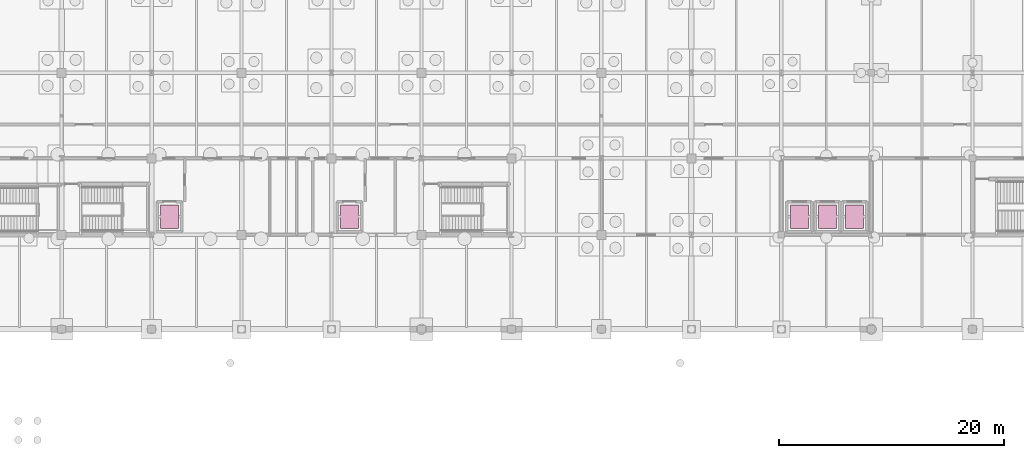
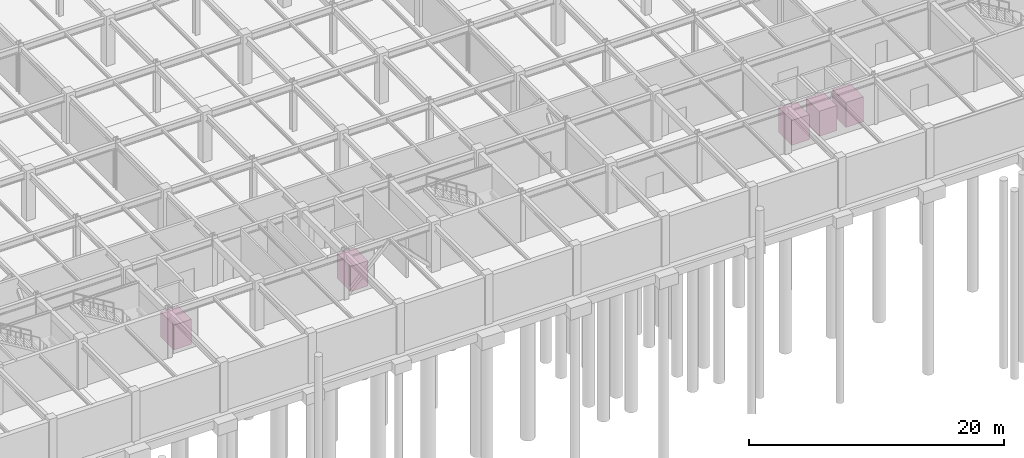
# One storey, part 53 of 53: 5 transport elements.
"""IFC4 building model written with IfcOpenShell, lengths in metres."""

from ifc_helpers import new_model, si_unit, direction, frame, origin, origin_2d, place, context, subcontext, project, spatial, rectangle, extrude, material, type_object, element, save


model = new_model("IFC4")

# Units and contexts
model_context = context("Model", 3, precision=1e-05, world=origin(), true_north=direction((0.0, 1.0)))
body_context = subcontext(model_context, "Body", "Model", "MODEL_VIEW")
ifc_project = project(units=[si_unit("LENGTHUNIT", "METRE"), si_unit("AREAUNIT", "SQUARE_METRE"), si_unit("VOLUMEUNIT", "CUBIC_METRE"), si_unit("PLANEANGLEUNIT", "RADIAN"), si_unit("MASSUNIT", "GRAM", prefix="KILO")], contexts=[model_context])

# Site, building, storey
site_placement = place(None, origin())
site = spatial("IfcSite", under=ifc_project, at=site_placement, CompositionType="ELEMENT")
building_placement = place(site_placement, origin())
building = spatial("IfcBuilding", under=site, at=building_placement, Name="Shalkamar Park Central Library", CompositionType="ELEMENT")
storey_placement = place(building_placement, frame((0.0, 0.0, -4.800048828125)))
storey = spatial("IfcBuildingStorey", under=building, at=storey_placement, Name="B1", CompositionType="ELEMENT", Elevation=-4.800048828125)

# Transport elements
ifc_material = material(Name="Steel S355", Category="steel")
transport_element_type_1 = type_object("IfcTransportElementType", Name="Firefighting Elevator 1350kg", PredefinedType="ELEVATOR", material=ifc_material)
for number, where, z_axis, x_axis, name in (
    (1, (174.60009765625, 250.0, 0.0), (0.0, 0.0, 1.0), (1.0, 0.0, 0.0), "Firefighting Lift FFL-01"),
    (2, (190.60009765625, 250.0, 0.0), (0.0, 0.0, 1.0), (1.0, 0.0, 0.0), "Firefighting Lift FFL-02"),
):
    element("IfcTransportElement", number, at=place(storey_placement, frame(where, z_axis=z_axis, x_axis=x_axis)), inside=storey, type_object=transport_element_type_1, Name=name, PredefinedType="ELEVATOR", context=body_context, shape_type="SweptSolid", body=[
        extrude(rectangle(XDim=1.60009765625, YDim=2.10009765625, at=origin_2d()), origin(), (0.0, 0.0, 1.0), 2.39990234375),
    ])
transport_element_type_2 = type_object("IfcTransportElementType", Name="Passenger Elevator 1600kg", PredefinedType="ELEVATOR", material=ifc_material)
for number, where, z_axis, x_axis, name in (
    (3, (230.60009765625, 250.0, 0.0), (0.0, 0.0, 1.0), (1.0, 0.0, 0.0), "Podium Passenger Lift LP-01"),
    (4, (233.10009765625, 250.0, 0.0), (0.0, 0.0, 1.0), (1.0, 0.0, 0.0), "Podium Passenger Lift LP-02"),
    (5, (235.5, 250.0, 0.0), (0.0, 0.0, 1.0), (1.0, 0.0, 0.0), "Podium Passenger Lift LP-03"),
):
    element("IfcTransportElement", number, at=place(storey_placement, frame(where, z_axis=z_axis, x_axis=x_axis)), inside=storey, type_object=transport_element_type_2, Name=name, PredefinedType="ELEVATOR", context=body_context, shape_type="SweptSolid", body=[
        extrude(rectangle(XDim=1.60009765625, YDim=2.10009765625, at=origin_2d()), origin(), (0.0, 0.0, 1.0), 2.39990234375),
    ])

save(model, "model.ifc")
